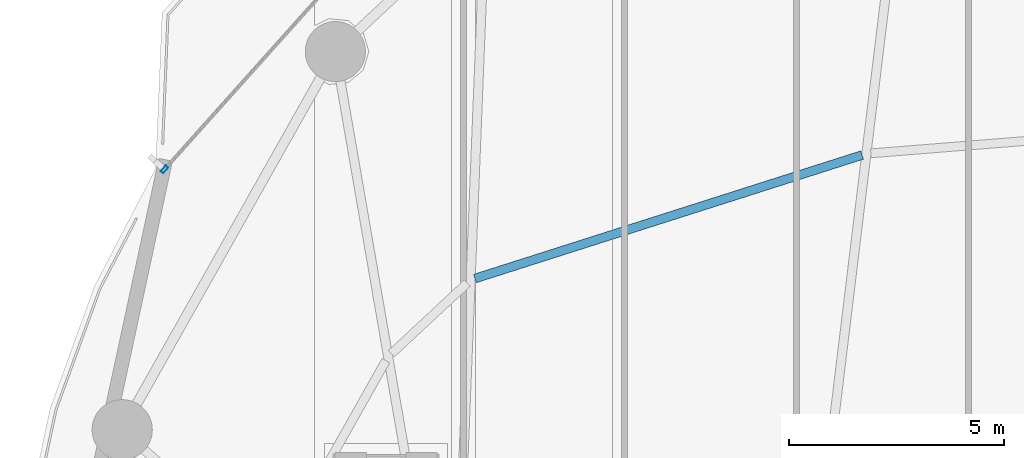
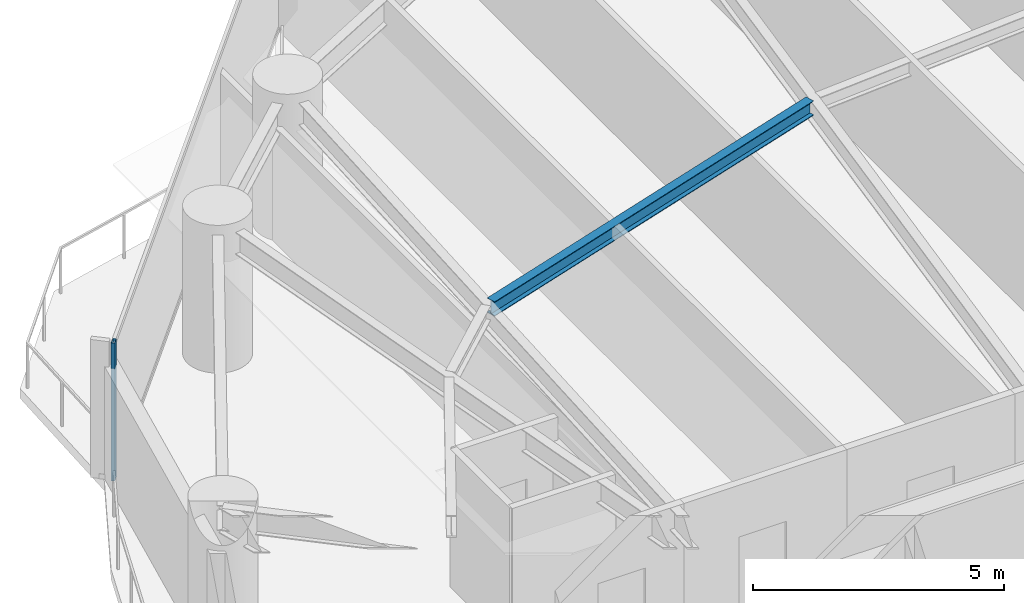
# One storey, part 17 of 32: 1 beam, 1 member, 1 element without a shape of its own.
"""IFC4 building model written with IfcOpenShell, lengths in metres."""

import ifcopenshell
import ifcopenshell.guid

model = None  # the IFC model being written
_history = None  # IfcOwnerHistory: only IFC2X3 demands one
_inside = {}  # id of a spatial element -> (the spatial element, [elements in it])
_under = {}  # id of a project, library or spatial element -> (it, [spatial elements below it])
_declared = {}  # id of a project -> (the project, [libraries it declares])
_typed = {}  # id of a type object -> (the type object, [elements of that type])
_made_of = {}  # id of a material, layer set ... -> (it, [elements and type objects made of it])


def new_model(schema):
    """Start an empty IFC model of exactly this schema.

    Asked for "IFC4X3", IfcOpenShell would pick the latest addendum, in which some entities
    have other attributes; the version numbers below select the first issue.
    IFC2X3 requires an IfcOwnerHistory on every rooted entity: one is made here for all.
    """
    global model, _history
    if schema == "IFC4X3":
        model = ifcopenshell.file(schema_version=(4, 3, 0, 0))
    else:
        model = ifcopenshell.file(schema=schema)
    _inside.clear()
    _under.clear()
    _declared.clear()
    _typed.clear()
    _made_of.clear()
    _history = None
    if model.schema == "IFC2X3":
        org = make("IfcOrganization", Name="unknown")
        user = make(
            "IfcPersonAndOrganization",
            ThePerson=make("IfcPerson", FamilyName="unknown"),
            TheOrganization=org,
        )
        app = make(
            "IfcApplication",
            ApplicationDeveloper=org,
            Version="unknown",
            ApplicationFullName="unknown",
            ApplicationIdentifier="unknown",
        )
        _history = make(
            "IfcOwnerHistory",
            OwningUser=user,
            OwningApplication=app,
            ChangeAction="ADDED",
            CreationDate=0,
        )
    return model


def make(cls, **values):
    """One entity of the class cls with the attributes given. An attribute that is None is left unset."""
    return model.create_entity(
        cls, **{name: value for name, value in values.items() if value is not None}
    )


def rooted(cls, **values):
    """An entity with a GlobalId (a new one), such as an element, a storey or a relation."""
    return make(cls, GlobalId=ifcopenshell.guid.new(), OwnerHistory=_history, **values)


def si_unit(unit_type, name, prefix=None):
    """IfcSIUnit, for example si_unit("LENGTHUNIT", "METRE", prefix="MILLI")."""
    return make("IfcSIUnit", UnitType=unit_type, Prefix=prefix, Name=name)


def assignment(units):
    """IfcUnitAssignment: the units of a project."""
    return None if units is None else make("IfcUnitAssignment", Units=units)


def point(xyz):
    """IfcCartesianPoint."""
    return None if xyz is None else make("IfcCartesianPoint", Coordinates=xyz)


def direction(xyz):
    """IfcDirection."""
    return None if xyz is None else make("IfcDirection", DirectionRatios=xyz)


def frame(location, z_axis=None, x_axis=None):
    """IfcAxis2Placement3D, a coordinate frame: its origin and axes. An axis left out is left unset."""
    return make(
        "IfcAxis2Placement3D",
        Location=point(location),
        Axis=direction(z_axis),
        RefDirection=direction(x_axis),
    )


def frame_2d(location, x_axis=None):
    """IfcAxis2Placement2D, a coordinate frame in the plane: its origin and x axis."""
    return make(
        "IfcAxis2Placement2D", Location=point(location), RefDirection=direction(x_axis)
    )


def origin():
    """The frame at (0, 0, 0) with its axes left unset."""
    return frame((0.0, 0.0, 0.0))


def origin_2d():
    """The frame at (0, 0) in the plane with its x axis left unset."""
    return frame_2d((0.0, 0.0))


def place(relative_to, where):
    """IfcLocalPlacement: puts the frame where relative to a parent placement (None: the world)."""
    return make(
        "IfcLocalPlacement", PlacementRelTo=relative_to, RelativePlacement=where
    )


def context(
    kind, dimensions, precision=None, world=None, true_north=None, identifier=None
):
    """IfcGeometricRepresentationContext, for example the 3D "Model" context."""
    return make(
        "IfcGeometricRepresentationContext",
        ContextIdentifier=identifier,
        ContextType=kind,
        CoordinateSpaceDimension=dimensions,
        Precision=precision,
        WorldCoordinateSystem=world,
        TrueNorth=true_north,
    )


def subcontext(parent, identifier, kind, view, scale=None):
    """IfcGeometricRepresentationSubContext, for example "Body" below "Model"."""
    return make(
        "IfcGeometricRepresentationSubContext",
        ContextIdentifier=identifier,
        ContextType=kind,
        ParentContext=parent,
        TargetScale=scale,
        TargetView=view,
    )


def project(units=None, contexts=None):
    """IfcProject with its units and contexts."""
    return rooted(
        "IfcProject",
        Name="project",
        RepresentationContexts=contexts,
        UnitsInContext=assignment(units),
    )


def spatial(cls, under=None, at=None, **own):
    """A site, building, storey or space (cls), placed at a placement, below another one or the project."""
    s = rooted(cls, ObjectPlacement=at, **own)
    if under is not None:
        _under.setdefault(under.id(), (under, []))[1].append(s)
    return s


def profile(cls, at=None, kind="AREA", **sizes):
    """A parametric profile (cls). Its sizes go by their IFC names, for example OverallWidth=200.0."""
    return make(cls, ProfileType=kind, Position=at, **sizes)


def hollow_rectangle(**sizes):
    """IfcRectangleHollowProfileDef."""
    return profile("IfcRectangleHollowProfileDef", **sizes)


def i_section(**sizes):
    """IfcIShapeProfileDef."""
    return profile("IfcIShapeProfileDef", **sizes)


def extrude(swept, where, along, depth):
    """IfcExtrudedAreaSolid: the profile swept, set in the frame where, extruded along a direction by depth."""
    return make(
        "IfcExtrudedAreaSolid",
        SweptArea=swept,
        Position=where,
        ExtrudedDirection=direction(along),
        Depth=depth,
    )


def shape(context_of_items, identifier, shape_type, items):
    """IfcShapeRepresentation: the items that make up one representation, for example the "Body"."""
    return make(
        "IfcShapeRepresentation",
        ContextOfItems=context_of_items,
        RepresentationIdentifier=identifier,
        RepresentationType=shape_type,
        Items=items,
    )


def material(Name=None, Category=None):
    """IfcMaterial."""
    return make("IfcMaterial", Name=Name, Category=Category)


def layer(
    of_material, thickness, ventilated=None, Name=None, Category=None, Priority=None
):
    """IfcMaterialLayer: one layer of a wall or slab, of a material (None: an air gap)."""
    return make(
        "IfcMaterialLayer",
        Material=of_material,
        LayerThickness=thickness,
        IsVentilated=ventilated,
        Name=Name,
        Category=Category,
        Priority=Priority,
    )


def layer_set(layers, Name=None):
    """IfcMaterialLayerSet."""
    return make("IfcMaterialLayerSet", MaterialLayers=layers, LayerSetName=Name)


def material_profile(
    of_material, cross_section, Name=None, Category=None, Priority=None
):
    """IfcMaterialProfile: a cross section and its material."""
    return make(
        "IfcMaterialProfile",
        Name=Name,
        Material=of_material,
        Profile=cross_section,
        Priority=Priority,
        Category=Category,
    )


def profile_set(profiles, Name=None, composite=None):
    """IfcMaterialProfileSet."""
    return make(
        "IfcMaterialProfileSet",
        Name=Name,
        MaterialProfiles=profiles,
        CompositeProfile=composite,
    )


def made_of(thing, what):
    """Note that an element or type object is made of a material, layer set ...; save() writes the relation."""
    if what is not None:
        _made_of.setdefault(what.id(), (what, []))[1].append(thing)
    return thing


def type_object(cls, material=None, **own):
    """A type object (cls), such as IfcWallType, which elements share."""
    return made_of(rooted(cls, **own), material)


def element(
    cls,
    number,
    at=None,
    inside=None,
    cuts=None,
    type_object=None,
    material=None,
    context=None,
    identifier="Body",
    shape_type=None,
    held_by="IfcProductDefinitionShape",
    body=None,
    shapes=None,
    **own,
):
    """One element of the class cls, such as IfcWall. Its Tag is "e" and its number.

    at: its placement. inside: the storey or other place that contains it. cuts: it is an
    opening in that element (IfcRelVoidsElement). A single representation is given by context,
    identifier, shape_type and body (its items); several are given by shapes. held_by: the class
    of the entity that holds the representations. save() writes the other relations.
    """
    e = rooted(cls, Tag="e%d" % number, ObjectPlacement=at, **own)
    if body is not None:
        shapes = [shape(context, identifier, shape_type, body)]
    if shapes is not None:
        e.Representation = make(held_by, Representations=shapes)
    if inside is not None:
        _inside.setdefault(inside.id(), (inside, []))[1].append(e)
    if cuts is not None:
        rooted(
            "IfcRelVoidsElement", RelatingBuildingElement=cuts, RelatedOpeningElement=e
        )
    if type_object is not None:
        _typed.setdefault(type_object.id(), (type_object, []))[1].append(e)
    return made_of(e, material)


def aggregate(whole, parts):
    """IfcRelAggregates: a whole, such as a stair, and the parts it consists of."""
    return rooted("IfcRelAggregates", RelatingObject=whole, RelatedObjects=parts)


def save(model, path):
    """Write the relations noted so far, then the file.

    IfcRelAggregates (storeys below a building ...), IfcRelContainedInSpatialStructure (elements
    in a storey), IfcRelDefinesByType, IfcRelAssociatesMaterial and IfcRelDeclares: one each for
    every whole, place, type object, material and project.
    """
    for whole, parts in _under.values():
        aggregate(whole, parts)
    for where, things in _inside.values():
        rooted(
            "IfcRelContainedInSpatialStructure",
            RelatedElements=things,
            RelatingStructure=where,
        )
    for kind, things in _typed.values():
        rooted("IfcRelDefinesByType", RelatedObjects=things, RelatingType=kind)
    for what, things in _made_of.values():
        rooted("IfcRelAssociatesMaterial", RelatedObjects=things, RelatingMaterial=what)
    for by, libraries in _declared.values():
        rooted("IfcRelDeclares", RelatingContext=by, RelatedDefinitions=libraries)
    model.write(path)


model = new_model("IFC4")

# Units and contexts
model_context = context("Model", 3, precision=1e-05, world=origin(), true_north=direction((0.0, 1.0)))
body_context = subcontext(model_context, "Body", "Model", "MODEL_VIEW")
ifc_project = project(units=[si_unit("LENGTHUNIT", "METRE"), si_unit("AREAUNIT", "SQUARE_METRE"), si_unit("VOLUMEUNIT", "CUBIC_METRE"), si_unit("PLANEANGLEUNIT", "RADIAN"), si_unit("MASSUNIT", "GRAM", prefix="KILO")], contexts=[model_context])

# Site, building, storey
site_placement = place(None, origin())
site = spatial("IfcSite", under=ifc_project, at=site_placement, CompositionType="ELEMENT")
building_placement = place(site_placement, origin())
building = spatial("IfcBuilding", under=site, at=building_placement, Name="Kazevale Care Tower and Concert Hall", CompositionType="ELEMENT")
storey_placement = place(building_placement, frame((0.0, 0.0, 85.199951171875)))
storey = spatial("IfcBuildingStorey", under=building, at=storey_placement, Name="L22", CompositionType="ELEMENT", Elevation=85.199951171875)

# Curtain wall, member
ifc_material_1 = material(Name="Aluminium 6063-T6 and Low-E Glass", Category="aluminium")
ifc_layer = layer(ifc_material_1, 0.179931640625)
ifc_layer_set = layer_set([ifc_layer], Name="Aluminium 6063-T6 and Low-E Glass")
curtain_wall_type = type_object("IfcCurtainWallType", Name="Convex Checkerboard Finned Curtain Wall CW-2", PredefinedType="NOTDEFINED", material=ifc_layer_set)
curtain_wall_placement = place(storey_placement, origin())
curtain_wall = element("IfcCurtainWall", 1, at=curtain_wall_placement, inside=storey, type_object=curtain_wall_type, Name="cw:L22:f14", PredefinedType="NOTDEFINED")
ifc_material_2 = material(Name="Aluminium 6063-T6", Category="aluminium")
ifc_material_profile_1 = material_profile(ifc_material_2, hollow_rectangle(XDim=0.080078125, YDim=0.179931640625, WallThickness=0.0048828125, at=origin_2d()), Name="ALU80x180x5")
ifc_profile_set_1 = profile_set([ifc_material_profile_1], Name="Aluminium 6063-T6")
member_type = type_object("IfcMemberType", Name="CW-2 Mullion ALU80x180x5", PredefinedType="MULLION", material=ifc_profile_set_1)
member_placement = place(storey_placement, frame((15.292724609375, 49.436767578125, 0.0), z_axis=(0.0, 0.0, 1.0), x_axis=(-0.744820476493, 0.667264908262, 0.0)))
member = element("IfcMember", 2, at=member_placement, type_object=member_type, Name="CW-2 mullion 1", PredefinedType="MULLION", context=body_context, shape_type="SweptSolid", body=[
    extrude(hollow_rectangle(XDim=0.080078125, YDim=0.179931640625, WallThickness=0.0048828125, at=origin_2d()), origin(), (0.0, 0.0, 1.0), 3.360107421875),
])
aggregate(curtain_wall, [member])

# Beam
ifc_material_3 = material(Name="Steel ASTM A572 Gr 50", Category="steel")
ifc_material_profile_2 = material_profile(ifc_material_3, i_section(OverallWidth=0.205078125, OverallDepth=0.35400390625, WebThickness=0.009521484375, FlangeThickness=0.016845703125, at=origin_2d()), Name="W360x79")
ifc_profile_set_2 = profile_set([ifc_material_profile_2], Name="Steel ASTM A572 Gr 50")
beam_type = type_object("IfcBeamType", Name="Secondary Floor Joist W360x79", PredefinedType="JOIST", material=ifc_profile_set_2)
beam_placement = place(storey_placement, frame((31.528076171875, 49.77197265625, 3.18310546875), z_axis=(-0.9527054955, -0.303895111584, 0.0), x_axis=(0.303895111584, -0.9527054955, 0.0)))
element("IfcBeam", 3, at=beam_placement, inside=storey, type_object=beam_type, Name="beam:L22:joist:06", PredefinedType="JOIST", context=body_context, shape_type="SweptSolid", body=[
    extrude(i_section(OverallWidth=0.205078125, OverallDepth=0.35400390625, WebThickness=0.009521484375, FlangeThickness=0.016845703125, at=origin_2d()), origin(), (0.0, 0.0, 1.0), 9.457275390625),
])

save(model, "model.ifc")
